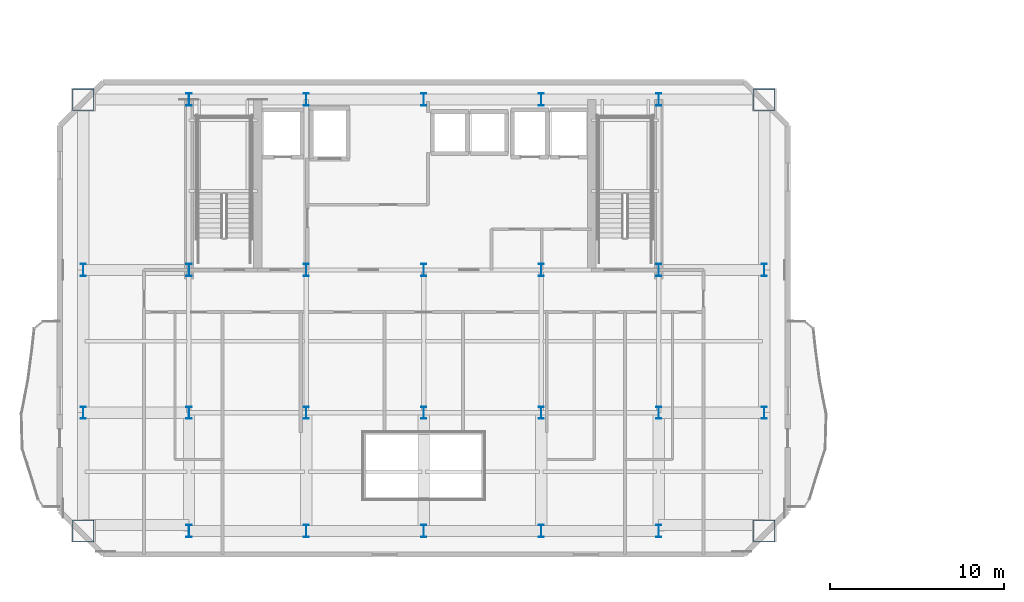
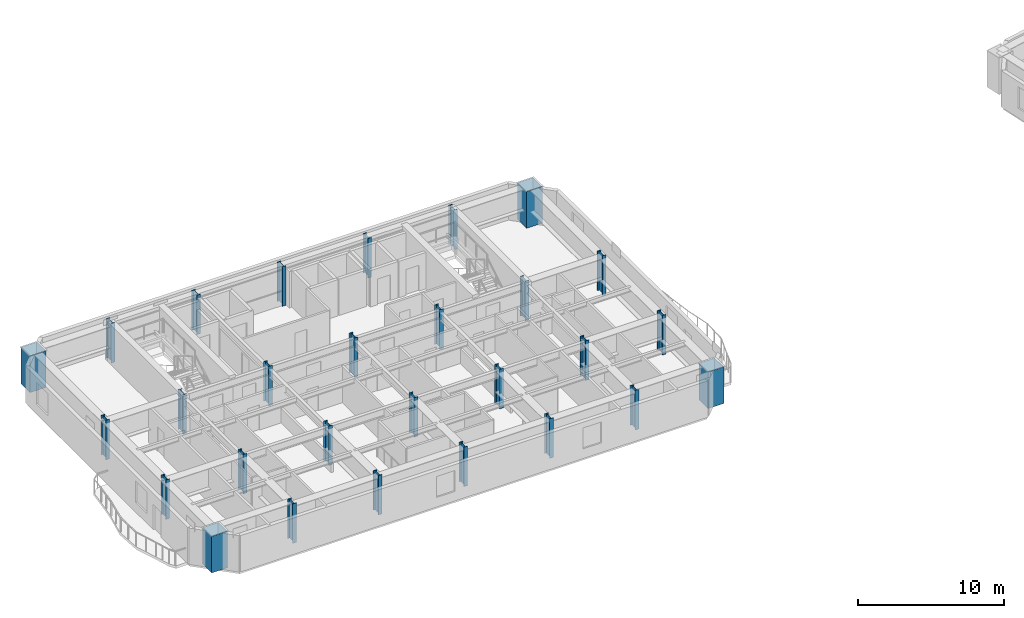
# One storey, part 1 of 16: 28 columns.
"""IFC4 building model written with IfcOpenShell, lengths in metres."""

from ifc_helpers import new_model, si_unit, direction, frame, origin, origin_2d, place, context, subcontext, project, spatial, hollow_rectangle, i_section, extrude, material, material_profile, profile_set, type_object, element, save


model = new_model("IFC4")

# Units and contexts
model_context = context("Model", 3, precision=1e-05, world=origin(), true_north=direction((0.0, 1.0)))
body_context = subcontext(model_context, "Body", "Model", "MODEL_VIEW")
ifc_project = project(units=[si_unit("LENGTHUNIT", "METRE"), si_unit("AREAUNIT", "SQUARE_METRE"), si_unit("VOLUMEUNIT", "CUBIC_METRE"), si_unit("PLANEANGLEUNIT", "RADIAN"), si_unit("MASSUNIT", "GRAM", prefix="KILO")], contexts=[model_context])

# Site, building, storey
site_placement = place(None, origin())
site = spatial("IfcSite", under=ifc_project, at=site_placement, CompositionType="ELEMENT")
building_placement = place(site_placement, origin())
building = spatial("IfcBuilding", under=site, at=building_placement, Name="Haevon Station Towers", CompositionType="ELEMENT")
storey_placement = place(building_placement, frame((0.0, 0.0, 172.5)))
storey = spatial("IfcBuildingStorey", under=building, at=storey_placement, Name="L47", CompositionType="ELEMENT", Elevation=172.5)

# Columns
ifc_material_1 = material(Name="Steel S460", Category="steel")
ifc_material_profile_1 = material_profile(ifc_material_1, hollow_rectangle(XDim=1.25, YDim=1.25, WallThickness=0.034912109375, at=origin_2d()), Name="BOX-1250x1250x35")
ifc_profile_set_1 = profile_set([ifc_material_profile_1], Name="Steel S460")
column_type_1 = type_object("IfcColumnType", Name="COL-MC4", PredefinedType="COLUMN", material=ifc_profile_set_1)
for number, where, z_axis, x_axis, name in (
    (1, (17.925048828125, 23.199951171875, 0.0), (0.0, 0.0, 1.0), (1.0, 0.0, 0.0), "COL-T1-L47-01-01"),
    (2, (17.925048828125, 48.0, 0.0), (0.0, 0.0, 1.0), (1.0, 0.0, 0.0), "COL-T1-L47-01-04"),
    (3, (57.074951171875, 23.199951171875, 0.0), (0.0, 0.0, 1.0), (1.0, 0.0, 0.0), "COL-T1-L47-07-01"),
    (4, (57.074951171875, 48.0, 0.0), (0.0, 0.0, 1.0), (1.0, 0.0, 0.0), "COL-T1-L47-07-04"),
):
    element("IfcColumn", number, at=place(storey_placement, frame(where, z_axis=z_axis, x_axis=x_axis)), inside=storey, type_object=column_type_1, Name=name, PredefinedType="COLUMN", context=body_context, shape_type="SweptSolid", body=[
        extrude(hollow_rectangle(XDim=1.25, YDim=1.25, WallThickness=0.034912109375, at=origin_2d()), origin(), (0.0, 0.0, 1.0), 3.050048828125),
    ])
ifc_material_2 = material(Name="Steel S355", Category="steel")
ifc_material_profile_2 = material_profile(ifc_material_2, i_section(OverallWidth=0.300048828125, OverallDepth=0.699951171875, WebThickness=0.01611328125, FlangeThickness=0.028076171875, at=origin_2d()), Name="H-700x300x16x28")
ifc_profile_set_2 = profile_set([ifc_material_profile_2], Name="Steel S355")
column_type_2 = type_object("IfcColumnType", Name="COL-TW3", PredefinedType="COLUMN", material=ifc_profile_set_2)
for number, where, z_axis, x_axis, name in (
    (5, (17.925048828125, 30.0, 0.0), (0.0, 0.0, 1.0), (1.0, 0.0, 0.0), "COL-T1-L47-01-02"),
    (6, (17.925048828125, 38.199951171875, 0.0), (0.0, 0.0, 1.0), (1.0, 0.0, 0.0), "COL-T1-L47-01-03"),
    (7, (24.0, 23.199951171875, 0.0), (0.0, 0.0, 1.0), (1.0, 0.0, 0.0), "COL-T1-L47-02-01"),
    (8, (24.0, 30.0, 0.0), (0.0, 0.0, 1.0), (1.0, 0.0, 0.0), "COL-T1-L47-02-02"),
    (9, (24.0, 38.199951171875, 0.0), (0.0, 0.0, 1.0), (1.0, 0.0, 0.0), "COL-T1-L47-02-03"),
    (10, (24.0, 48.0, 0.0), (0.0, 0.0, 1.0), (1.0, 0.0, 0.0), "COL-T1-L47-02-04"),
    (11, (30.75, 23.199951171875, 0.0), (0.0, 0.0, 1.0), (1.0, 0.0, 0.0), "COL-T1-L47-03-01"),
    (12, (30.75, 30.0, 0.0), (0.0, 0.0, 1.0), (1.0, 0.0, 0.0), "COL-T1-L47-03-02"),
    (13, (30.75, 38.199951171875, 0.0), (0.0, 0.0, 1.0), (1.0, 0.0, 0.0), "COL-T1-L47-03-03"),
    (14, (30.75, 48.0, 0.0), (0.0, 0.0, 1.0), (1.0, 0.0, 0.0), "COL-T1-L47-03-04"),
    (15, (37.5, 23.199951171875, 0.0), (0.0, 0.0, 1.0), (1.0, 0.0, 0.0), "COL-T1-L47-04-01"),
    (16, (37.5, 30.0, 0.0), (0.0, 0.0, 1.0), (1.0, 0.0, 0.0), "COL-T1-L47-04-02"),
    (17, (37.5, 38.199951171875, 0.0), (0.0, 0.0, 1.0), (1.0, 0.0, 0.0), "COL-T1-L47-04-03"),
    (18, (37.5, 48.0, 0.0), (0.0, 0.0, 1.0), (1.0, 0.0, 0.0), "COL-T1-L47-04-04"),
    (19, (44.25, 23.199951171875, 0.0), (0.0, 0.0, 1.0), (1.0, 0.0, 0.0), "COL-T1-L47-05-01"),
    (20, (44.25, 30.0, 0.0), (0.0, 0.0, 1.0), (1.0, 0.0, 0.0), "COL-T1-L47-05-02"),
    (21, (44.25, 38.199951171875, 0.0), (0.0, 0.0, 1.0), (1.0, 0.0, 0.0), "COL-T1-L47-05-03"),
    (22, (44.25, 48.0, 0.0), (0.0, 0.0, 1.0), (1.0, 0.0, 0.0), "COL-T1-L47-05-04"),
    (23, (51.0, 23.199951171875, 0.0), (0.0, 0.0, 1.0), (1.0, 0.0, 0.0), "COL-T1-L47-06-01"),
    (24, (51.0, 30.0, 0.0), (0.0, 0.0, 1.0), (1.0, 0.0, 0.0), "COL-T1-L47-06-02"),
    (25, (51.0, 38.199951171875, 0.0), (0.0, 0.0, 1.0), (1.0, 0.0, 0.0), "COL-T1-L47-06-03"),
    (26, (51.0, 48.0, 0.0), (0.0, 0.0, 1.0), (1.0, 0.0, 0.0), "COL-T1-L47-06-04"),
    (27, (57.074951171875, 30.0, 0.0), (0.0, 0.0, 1.0), (1.0, 0.0, 0.0), "COL-T1-L47-07-02"),
    (28, (57.074951171875, 38.199951171875, 0.0), (0.0, 0.0, 1.0), (1.0, 0.0, 0.0), "COL-T1-L47-07-03"),
):
    element("IfcColumn", number, at=place(storey_placement, frame(where, z_axis=z_axis, x_axis=x_axis)), inside=storey, type_object=column_type_2, Name=name, PredefinedType="COLUMN", context=body_context, shape_type="SweptSolid", body=[
        extrude(i_section(OverallWidth=0.300048828125, OverallDepth=0.699951171875, WebThickness=0.01611328125, FlangeThickness=0.028076171875, at=origin_2d()), origin(), (0.0, 0.0, 1.0), 3.300048828125),
    ])

save(model, "model.ifc")
